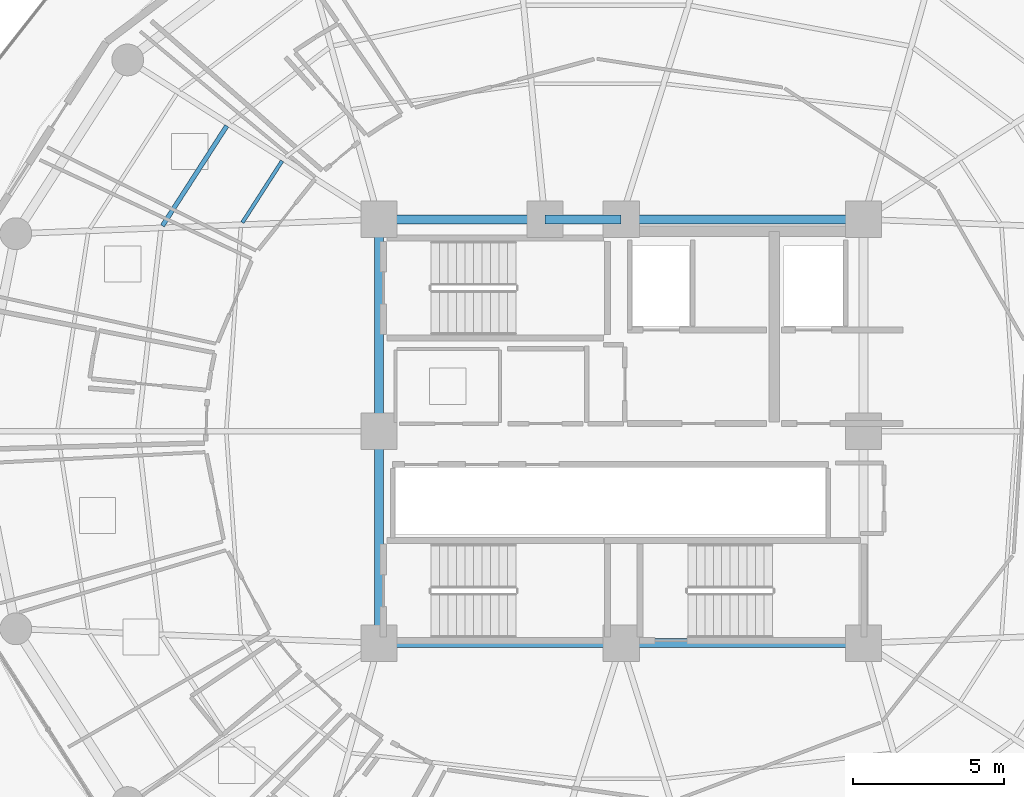
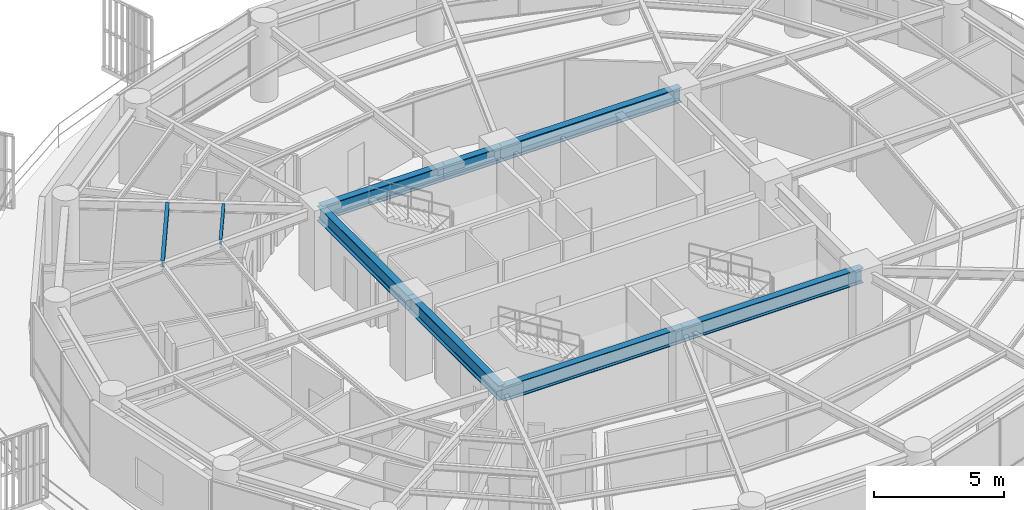
# One storey, part 9 of 31: 9 beams.
"""IFC4 building model written with IfcOpenShell, lengths in metres."""

from ifc_helpers import new_model, si_unit, direction, frame, origin, origin_2d, place, context, subcontext, project, spatial, i_section, extrude, material, material_profile, profile_set, type_object, element, save


model = new_model("IFC4")

# Units and contexts
model_context = context("Model", 3, precision=1e-05, world=origin(), true_north=direction((0.0, 1.0)))
body_context = subcontext(model_context, "Body", "Model", "MODEL_VIEW")
ifc_project = project(units=[si_unit("LENGTHUNIT", "METRE"), si_unit("AREAUNIT", "SQUARE_METRE"), si_unit("VOLUMEUNIT", "CUBIC_METRE"), si_unit("PLANEANGLEUNIT", "RADIAN"), si_unit("MASSUNIT", "GRAM", prefix="KILO")], contexts=[model_context])

# Site, building, storey
site_placement = place(None, origin())
site = spatial("IfcSite", under=ifc_project, at=site_placement, CompositionType="ELEMENT")
building_placement = place(site_placement, origin())
building = spatial("IfcBuilding", under=site, at=building_placement, Name="Kelanora Arch Commons", CompositionType="ELEMENT")
storey_placement = place(building_placement, frame((0.0, 0.0, 200.699951171875)))
storey = spatial("IfcBuildingStorey", under=building, at=storey_placement, Name="L51", CompositionType="ELEMENT", Elevation=200.699951171875)

# Beams
ifc_material = material(Name="Steel S355", Category="steel")
ifc_material_profile_1 = material_profile(ifc_material, i_section(OverallWidth=0.300048828125, OverallDepth=0.699951171875, WebThickness=0.01708984375, FlangeThickness=0.031982421875, FilletRadius=0.027099609375, at=origin_2d()), Name="HEB700")
ifc_profile_set_1 = profile_set([ifc_material_profile_1], Name="Steel S355")
beam_type_1 = type_object("IfcBeamType", Name="BM-CORE-HDR", PredefinedType="BEAM", material=ifc_profile_set_1)
for number, where, z_axis, x_axis, name in (
    (1, (66.0, 51.0, 3.14013671875), (1.0, 0.0, 0.0), (0.0, 1.0, 0.0), "Core Header Beam 01 L51"),
    (2, (74.0, 51.0, 3.14013671875), (1.0, 0.0, 0.0), (0.0, 1.0, 0.0), "Core Header Beam 02 L51"),
    (3, (82.0, 65.0, 3.14013671875), (-1.0, 0.0, 0.0), (0.0, -1.0, 0.0), "Core Header Beam 05 L51"),
):
    element("IfcBeam", number, at=place(storey_placement, frame(where, z_axis=z_axis, x_axis=x_axis)), inside=storey, type_object=beam_type_1, Name=name, PredefinedType="BEAM", context=body_context, shape_type="SweptSolid", body=[
        extrude(i_section(OverallWidth=0.300048828125, OverallDepth=0.699951171875, WebThickness=0.01708984375, FlangeThickness=0.031982421875, FilletRadius=0.027099609375, at=origin_2d()), origin(), (0.0, 0.0, 1.0), 8.0),
    ])
beam_1_placement = place(storey_placement, frame((74.0, 65.0, 3.14013671875), z_axis=(-1.0, 0.0, 0.0), x_axis=(0.0, -1.0, 0.0)))
element("IfcBeam", 4, at=beam_1_placement, inside=storey, type_object=beam_type_1, Name="Core Header Beam 06 L51", PredefinedType="BEAM", context=body_context, shape_type="SweptSolid", body=[
    extrude(i_section(OverallWidth=0.300048828125, OverallDepth=0.699951171875, WebThickness=0.01708984375, FlangeThickness=0.031982421875, FilletRadius=0.027099609375, at=origin_2d()), origin(), (0.0, 0.0, 1.0), 2.52001953125),
])
beam_2_placement = place(storey_placement, frame((71.47998046875, 65.0, 3.14013671875), z_axis=(-1.0, 0.0, 0.0), x_axis=(0.0, -1.0, 0.0)))
element("IfcBeam", 5, at=beam_2_placement, inside=storey, type_object=beam_type_1, Name="Core Header Beam 07 L51", PredefinedType="BEAM", context=body_context, shape_type="SweptSolid", body=[
    extrude(i_section(OverallWidth=0.300048828125, OverallDepth=0.699951171875, WebThickness=0.01708984375, FlangeThickness=0.031982421875, FilletRadius=0.027099609375, at=origin_2d()), origin(), (0.0, 0.0, 1.0), 5.47998046875),
])
for number, where, z_axis, x_axis, name in (
    (6, (66.0, 65.0, 3.14013671875), (0.0, -1.0, 0.0), (1.0, 0.0, 0.0), "Core Header Beam 08 L51"),
    (7, (66.0, 58.0, 3.14013671875), (0.0, -1.0, 0.0), (1.0, 0.0, 0.0), "Core Header Beam 09 L51"),
):
    element("IfcBeam", number, at=place(storey_placement, frame(where, z_axis=z_axis, x_axis=x_axis)), inside=storey, type_object=beam_type_1, Name=name, PredefinedType="BEAM", context=body_context, shape_type="SweptSolid", body=[
        extrude(i_section(OverallWidth=0.300048828125, OverallDepth=0.699951171875, WebThickness=0.01708984375, FlangeThickness=0.031982421875, FilletRadius=0.027099609375, at=origin_2d()), origin(), (0.0, 0.0, 1.0), 7.0),
    ])
ifc_material_profile_2 = material_profile(ifc_material, i_section(OverallWidth=0.14990234375, OverallDepth=0.300048828125, WebThickness=0.007080078125, FlangeThickness=0.0107421875, FilletRadius=0.014892578125, at=origin_2d()), Name="IPE300")
ifc_profile_set_2 = profile_set([ifc_material_profile_2], Name="Steel S355")
beam_type_2 = type_object("IfcBeamType", Name="BM-JST-01", PredefinedType="JOIST", material=ifc_profile_set_2)
beam_3_placement = place(storey_placement, frame((60.97314453125, 68.087158203125, 3.340087890625), z_axis=(-0.541411265892, -0.840757896879, 0.0), x_axis=(0.840757896879, -0.541411265892, 0.0)))
element("IfcBeam", 8, at=beam_3_placement, inside=storey, type_object=beam_type_2, Name="Secondary Chord Joist BJB-14 L51", PredefinedType="JOIST", context=body_context, shape_type="SweptSolid", body=[
    extrude(i_section(OverallWidth=0.14990234375, OverallDepth=0.300048828125, WebThickness=0.007080078125, FlangeThickness=0.0107421875, FilletRadius=0.014892578125, at=origin_2d()), origin(), (0.0, 0.0, 1.0), 3.92529296875),
])
ifc_material_profile_3 = material_profile(ifc_material, i_section(OverallWidth=0.1201171875, OverallDepth=0.239990234375, WebThickness=0.006103515625, FlangeThickness=0.009765625, FilletRadius=0.014892578125, at=origin_2d()), Name="IPE240")
ifc_profile_set_3 = profile_set([ifc_material_profile_3], Name="Steel S355")
beam_type_3 = type_object("IfcBeamType", Name="BM-JST-02", PredefinedType="JOIST", material=ifc_profile_set_3)
beam_4_placement = place(storey_placement, frame((62.79931640625, 66.928955078125, 3.3701171875), z_axis=(-0.541332763503, -0.840808443796, 0.0), x_axis=(0.840808443796, -0.541332763503, 0.0)))
element("IfcBeam", 9, at=beam_4_placement, inside=storey, type_object=beam_type_3, Name="Secondary Chord Joist BJA-14 L51", PredefinedType="JOIST", context=body_context, shape_type="SweptSolid", body=[
    extrude(i_section(OverallWidth=0.1201171875, OverallDepth=0.239990234375, WebThickness=0.006103515625, FlangeThickness=0.009765625, FilletRadius=0.014892578125, at=origin_2d()), origin(), (0.0, 0.0, 1.0), 2.423583984375),
])

save(model, "model.ifc")
